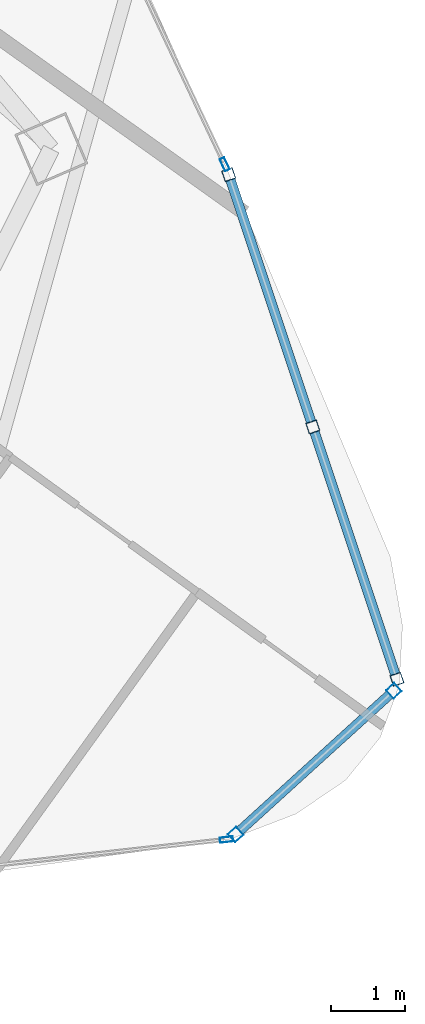
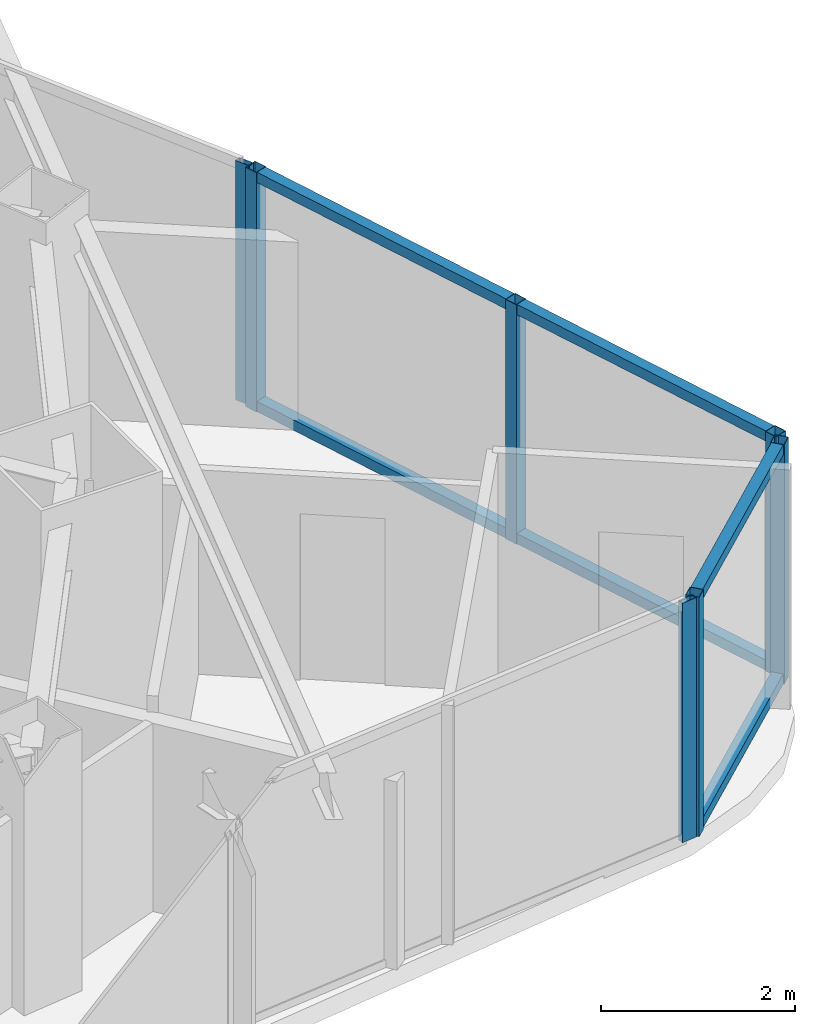
# One storey, part 14 of 30: 13 members, 4 elements without a shape of their own.
"""IFC4 building model written with IfcOpenShell, lengths in metres."""

from ifc_helpers import new_model, si_unit, direction, frame, origin, origin_2d, place, context, subcontext, project, spatial, hollow_rectangle, extrude, material, layer, layer_set, material_profile, profile_set, type_object, element, aggregate, save


model = new_model("IFC4")

# Units and contexts
model_context = context("Model", 3, precision=1e-05, world=origin(), true_north=direction((0.0, 1.0)))
body_context = subcontext(model_context, "Body", "Model", "MODEL_VIEW")
ifc_project = project(units=[si_unit("LENGTHUNIT", "METRE"), si_unit("AREAUNIT", "SQUARE_METRE"), si_unit("VOLUMEUNIT", "CUBIC_METRE"), si_unit("PLANEANGLEUNIT", "RADIAN"), si_unit("MASSUNIT", "GRAM", prefix="KILO")], contexts=[model_context])

# Site, building, storey
site_placement = place(None, origin())
site = spatial("IfcSite", under=ifc_project, at=site_placement, CompositionType="ELEMENT")
building_placement = place(site_placement, origin())
building = spatial("IfcBuilding", under=site, at=building_placement, Name="Orvanel Arch Residences", CompositionType="ELEMENT")
storey_placement = place(building_placement, frame((0.0, 0.0, 143.0)))
storey = spatial("IfcBuildingStorey", under=building, at=storey_placement, Name="L40", CompositionType="ELEMENT", Elevation=143.0)

# Curtain wall, members
ifc_material = material(Name="Bronze-anodised aluminium AA6063-T6", Category="aluminium")
ifc_layer_1 = layer(ifc_material, 0.18994140625)
ifc_layer_set_1 = layer_set([ifc_layer_1], Name="Bronze-anodised aluminium AA6063-T6")
curtain_wall_type_1 = type_object("IfcCurtainWallType", Name="CW5-CRN-SYS", PredefinedType="NOTDEFINED", material=ifc_layer_set_1)
curtain_wall_1_placement = place(storey_placement, origin())
curtain_wall_1 = element("IfcCurtainWall", 1, at=curtain_wall_1_placement, inside=storey, type_object=curtain_wall_type_1, Name="L40 CW5-CRN-SYS Unitised Curtain Wall", PredefinedType="NOTDEFINED")
ifc_material_profile_1 = material_profile(ifc_material, hollow_rectangle(XDim=0.14990234375, YDim=0.14990234375, WallThickness=0.0048828125, at=origin_2d()), Name="ALU150x150x5")
ifc_profile_set_1 = profile_set([ifc_material_profile_1], Name="Bronze-anodised aluminium AA6063-T6")
member_type_1 = type_object("IfcMemberType", Name="MUL-150x150", PredefinedType="MULLION", material=ifc_profile_set_1)
member_1_placement = place(storey_placement, frame((56.39453125, 5.33349609375, 0.0), z_axis=(0.0, 0.0, 1.0), x_axis=(-0.672508692738, 0.740089223129, 0.0)))
member_1 = element("IfcMember", 2, at=member_1_placement, type_object=member_type_1, Name="CW-S5 mullion 1", PredefinedType="MULLION", context=body_context, shape_type="SweptSolid", body=[
    extrude(hollow_rectangle(XDim=0.14990234375, YDim=0.14990234375, WallThickness=0.0048828125, at=origin_2d()), origin(), (0.0, 0.0, 1.0), 3.02001953125),
])
member_2_placement = place(storey_placement, frame((58.528564453125, 7.2724609375, 0.0), z_axis=(0.0, 0.0, 1.0), x_axis=(-0.672508692738, 0.740089223129, 0.0)))
member_2 = element("IfcMember", 3, at=member_2_placement, type_object=member_type_1, Name="CW-S5 mullion 2", PredefinedType="MULLION", context=body_context, shape_type="SweptSolid", body=[
    extrude(hollow_rectangle(XDim=0.14990234375, YDim=0.14990234375, WallThickness=0.0048828125, at=origin_2d()), origin(), (0.0, 0.0, 1.0), 3.02001953125),
])

curtain_wall_2_placement = place(storey_placement, origin())
curtain_wall_2 = element("IfcCurtainWall", 4, at=curtain_wall_2_placement, inside=storey, type_object=curtain_wall_type_1, Name="L40 CW5-CRN-SYS Unitised Curtain Wall", PredefinedType="NOTDEFINED")
member_3_placement = place(storey_placement, frame((58.5693359375, 7.42626953125, 0.0), z_axis=(0.0, 0.0, 1.0), x_axis=(-0.948642347398, -0.316350591471, 0.0)))
member_3 = element("IfcMember", 5, at=member_3_placement, type_object=member_type_1, Name="CW-S5 mullion 1", PredefinedType="MULLION", context=body_context, shape_type="SweptSolid", body=[
    extrude(hollow_rectangle(XDim=0.14990234375, YDim=0.14990234375, WallThickness=0.0048828125, at=origin_2d()), origin(), (0.0, 0.0, 1.0), 3.02001953125),
])
member_4_placement = place(storey_placement, frame((57.43408203125, 10.83056640625, 0.0), z_axis=(0.0, 0.0, 1.0), x_axis=(-0.948642347398, -0.316350591471, 0.0)))
member_4 = element("IfcMember", 6, at=member_4_placement, type_object=member_type_1, Name="CW-S5 mullion 2", PredefinedType="MULLION", context=body_context, shape_type="SweptSolid", body=[
    extrude(hollow_rectangle(XDim=0.14990234375, YDim=0.14990234375, WallThickness=0.0048828125, at=origin_2d()), origin(), (0.0, 0.0, 1.0), 3.02001953125),
])
member_5_placement = place(storey_placement, frame((56.298828125, 14.23486328125, 0.0), z_axis=(0.0, 0.0, 1.0), x_axis=(-0.948642347398, -0.316350591471, 0.0)))
member_5 = element("IfcMember", 7, at=member_5_placement, type_object=member_type_1, Name="CW-S5 mullion 3", PredefinedType="MULLION", context=body_context, shape_type="SweptSolid", body=[
    extrude(hollow_rectangle(XDim=0.14990234375, YDim=0.14990234375, WallThickness=0.0048828125, at=origin_2d()), origin(), (0.0, 0.0, 1.0), 3.02001953125),
])

# Curtain wall, member
ifc_layer_2 = layer(ifc_material, 0.179931640625)
ifc_layer_set_2 = layer_set([ifc_layer_2], Name="Bronze-anodised aluminium AA6063-T6")
curtain_wall_type_2 = type_object("IfcCurtainWallType", Name="CW3-MID-SYS", PredefinedType="NOTDEFINED", material=ifc_layer_set_2)
curtain_wall_3_placement = place(storey_placement, origin())
curtain_wall_3 = element("IfcCurtainWall", 8, at=curtain_wall_3_placement, inside=storey, type_object=curtain_wall_type_2, Name="L40 CW3-MID-SYS Unitised Curtain Wall", PredefinedType="NOTDEFINED")
ifc_material_profile_2 = material_profile(ifc_material, hollow_rectangle(XDim=0.070068359375, YDim=0.179931640625, WallThickness=0.00439453125, at=origin_2d()), Name="ALU180x70x4.5")
ifc_profile_set_2 = profile_set([ifc_material_profile_2], Name="Bronze-anodised aluminium AA6063-T6")
member_type_2 = type_object("IfcMemberType", Name="MUL-180x70", PredefinedType="MULLION", material=ifc_profile_set_2)
member_6_placement = place(storey_placement, frame((56.269287109375, 5.26416015625, 0.0), z_axis=(0.0, 0.0, 1.0), x_axis=(-0.109856452012, 0.993947463376, 0.0)))
member_6 = element("IfcMember", 9, at=member_6_placement, type_object=member_type_2, Name="CW-S3 mullion 4", PredefinedType="MULLION", context=body_context, shape_type="SweptSolid", body=[
    extrude(hollow_rectangle(XDim=0.070068359375, YDim=0.179931640625, WallThickness=0.00439453125, at=origin_2d()), origin(), (0.0, 0.0, 1.0), 3.02001953125),
])
aggregate(curtain_wall_3, [member_6])

curtain_wall_4_placement = place(storey_placement, origin())
curtain_wall_4 = element("IfcCurtainWall", 10, at=curtain_wall_4_placement, inside=storey, type_object=curtain_wall_type_2, Name="L40 CW3-MID-SYS Unitised Curtain Wall", PredefinedType="NOTDEFINED")
member_7_placement = place(storey_placement, frame((56.2451171875, 14.374755859375, 0.0), z_axis=(0.0, 0.0, 1.0), x_axis=(-0.904718317151, -0.426010289326, 0.0)))
member_7 = element("IfcMember", 11, at=member_7_placement, type_object=member_type_2, Name="CW-S3 mullion 1", PredefinedType="MULLION", context=body_context, shape_type="SweptSolid", body=[
    extrude(hollow_rectangle(XDim=0.070068359375, YDim=0.179931640625, WallThickness=0.00439453125, at=origin_2d()), origin(), (0.0, 0.0, 1.0), 3.02001953125),
])
aggregate(curtain_wall_4, [member_7])

# Member
ifc_material_profile_3 = material_profile(ifc_material, hollow_rectangle(XDim=0.1298828125, YDim=0.1298828125, WallThickness=0.00439453125, at=origin_2d()), Name="ALU130x130x4.5")
ifc_profile_set_3 = profile_set([ifc_material_profile_3], Name="Bronze-anodised aluminium AA6063-T6")
member_type_3 = type_object("IfcMemberType", Name="TRN-130x130", PredefinedType="USERDEFINED", material=ifc_profile_set_3)
member_8_placement = place(storey_placement, frame((56.449951171875, 5.3837890625, 0.06494140625), z_axis=(0.740061303002, 0.672539417283, 0.0), x_axis=(-0.672539417283, 0.740061303002, 0.0)))
member_8 = element("IfcMember", 12, at=member_8_placement, type_object=member_type_3, Name="CW-S5 transom 1.1", ObjectType="TRANSOM", PredefinedType="USERDEFINED", context=body_context, shape_type="SweptSolid", body=[
    extrude(hollow_rectangle(XDim=0.1298828125, YDim=0.1298828125, WallThickness=0.00439453125, at=origin_2d()), origin(), (0.0, 0.0, 1.0), 2.7333984375),
])

member_9_placement = place(storey_placement, frame((56.449951171875, 5.3837890625, 2.955078125), z_axis=(0.740061303002, 0.672539417283, 0.0), x_axis=(-0.672539417283, 0.740061303002, 0.0)))
member_9 = element("IfcMember", 13, at=member_9_placement, type_object=member_type_3, Name="CW-S5 transom 1.2", ObjectType="TRANSOM", PredefinedType="USERDEFINED", context=body_context, shape_type="SweptSolid", body=[
    extrude(hollow_rectangle(XDim=0.1298828125, YDim=0.1298828125, WallThickness=0.00439453125, at=origin_2d()), origin(), (0.0, 0.0, 1.0), 2.7333984375),
])

aggregate(curtain_wall_1, [member_1, member_2, member_8, member_9])

member_10_placement = place(storey_placement, frame((58.545654296875, 7.497314453125, 0.06494140625), z_axis=(-0.316376862518, 0.948633586198, 0.0), x_axis=(-0.948633586198, -0.316376862518, 0.0)))
member_10 = element("IfcMember", 14, at=member_10_placement, type_object=member_type_3, Name="CW-S5 transom 1.1", ObjectType="TRANSOM", PredefinedType="USERDEFINED", context=body_context, shape_type="SweptSolid", body=[
    extrude(hollow_rectangle(XDim=0.1298828125, YDim=0.1298828125, WallThickness=0.00439453125, at=origin_2d()), origin(), (0.0, 0.0, 1.0), 3.4384765625),
])

member_11_placement = place(storey_placement, frame((58.545654296875, 7.497314453125, 2.955078125), z_axis=(-0.316376862518, 0.948633586198, 0.0), x_axis=(-0.948633586198, -0.316376862518, 0.0)))
member_11 = element("IfcMember", 15, at=member_11_placement, type_object=member_type_3, Name="CW-S5 transom 1.2", ObjectType="TRANSOM", PredefinedType="USERDEFINED", context=body_context, shape_type="SweptSolid", body=[
    extrude(hollow_rectangle(XDim=0.1298828125, YDim=0.1298828125, WallThickness=0.00439453125, at=origin_2d()), origin(), (0.0, 0.0, 1.0), 3.4384765625),
])

member_12_placement = place(storey_placement, frame((57.41015625, 10.901611328125, 0.06494140625), z_axis=(-0.316291662605, 0.948661996797, 0.0), x_axis=(-0.948661996797, -0.316291662605, 0.0)))
member_12 = element("IfcMember", 16, at=member_12_placement, type_object=member_type_3, Name="CW-S5 transom 2.1", ObjectType="TRANSOM", PredefinedType="USERDEFINED", context=body_context, shape_type="SweptSolid", body=[
    extrude(hollow_rectangle(XDim=0.1298828125, YDim=0.1298828125, WallThickness=0.00439453125, at=origin_2d()), origin(), (0.0, 0.0, 1.0), 3.438720703125),
])

member_13_placement = place(storey_placement, frame((57.41015625, 10.901611328125, 2.955078125), z_axis=(-0.316291662605, 0.948661996797, 0.0), x_axis=(-0.948661996797, -0.316291662605, 0.0)))
member_13 = element("IfcMember", 17, at=member_13_placement, type_object=member_type_3, Name="CW-S5 transom 2.2", ObjectType="TRANSOM", PredefinedType="USERDEFINED", context=body_context, shape_type="SweptSolid", body=[
    extrude(hollow_rectangle(XDim=0.1298828125, YDim=0.1298828125, WallThickness=0.00439453125, at=origin_2d()), origin(), (0.0, 0.0, 1.0), 3.438720703125),
])

aggregate(curtain_wall_2, [member_3, member_4, member_5, member_10, member_11, member_12, member_13])

save(model, "model.ifc")
